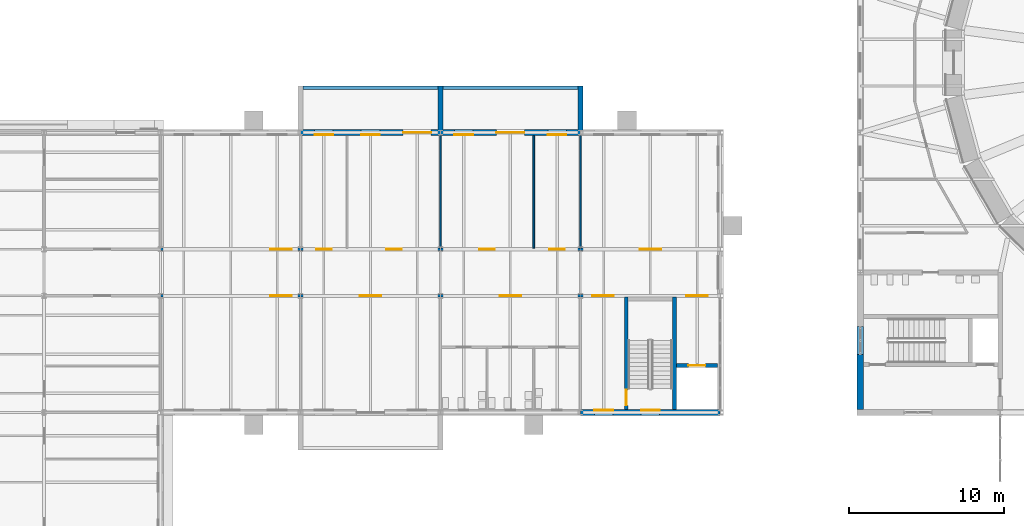
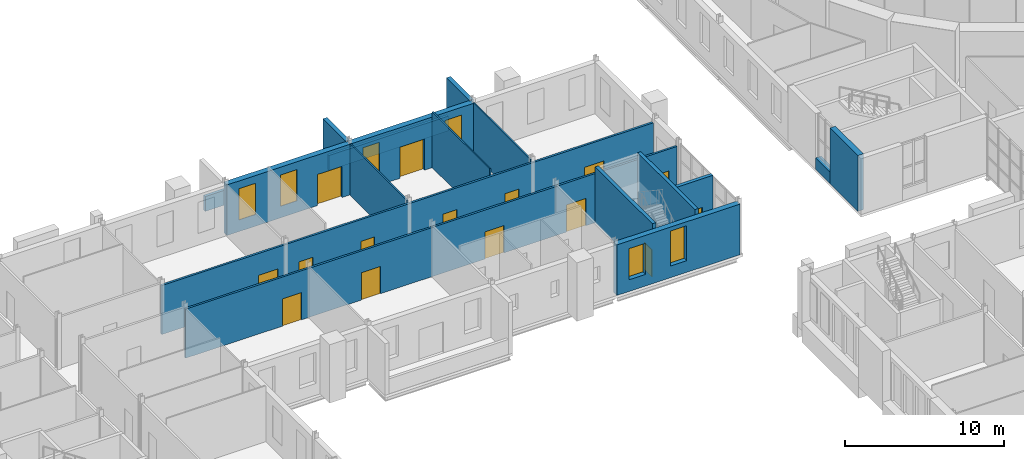
# One storey, part 83 of 131: 17 walls, 15 doors, 6 windows, 21 openings.
"""IFC4 building model written with IfcOpenShell, lengths in metres."""

from ifc_helpers import new_model, si_unit, direction, frame, frame_2d, origin, place, context, subcontext, project, spatial, rectangle, extrude, material, layer, layer_set, type_object, element, fill, save


model = new_model("IFC4")

# Units and contexts
model_context = context("Model", 3, precision=1e-05, world=origin(), true_north=direction((0.0, 1.0)))
body_context = subcontext(model_context, "Body", "Model", "MODEL_VIEW")
ifc_project = project(units=[si_unit("LENGTHUNIT", "METRE"), si_unit("AREAUNIT", "SQUARE_METRE"), si_unit("VOLUMEUNIT", "CUBIC_METRE"), si_unit("PLANEANGLEUNIT", "RADIAN"), si_unit("MASSUNIT", "GRAM", prefix="KILO")], contexts=[model_context])

# Site, building, storey
site_placement = place(None, origin())
site = spatial("IfcSite", under=ifc_project, at=site_placement, CompositionType="ELEMENT")
building_placement = place(site_placement, origin())
building = spatial("IfcBuilding", under=site, at=building_placement, Name="Golden Quay Civic Hall", CompositionType="ELEMENT")
storey_placement = place(building_placement, frame((0.0, 0.0, 9.89990234375)))
storey = spatial("IfcBuildingStorey", under=building, at=storey_placement, Name="L02", CompositionType="ELEMENT", Elevation=9.89990234375)

# Walls
ifc_material_1 = material(Name="Brick, dark clay facing", Category="masonry")
ifc_layer_1 = layer(ifc_material_1, 0.199951171875)
ifc_layer_set_1 = layer_set([ifc_layer_1], Name="Brick balustrade wall 200")
wall_type_1 = type_object("IfcWallType", Name="Brick balustrade wall 200", PredefinedType="STANDARD", material=ifc_layer_set_1)
for number, where, z_axis, x_axis, name in (
    (1, (27.14990234375, 83.8798828125, 0.0), (0.0, 0.0, 1.0), (1.0, 0.0, 0.0), "Brick balustrade wall 200 L02 2"),
    (2, (36.14990234375, 83.8798828125, 0.0), (0.0, 0.0, 1.0), (1.0, 0.0, 0.0), "Brick balustrade wall 200 L02 3"),
):
    element("IfcWall", number, at=place(storey_placement, frame(where, z_axis=z_axis, x_axis=x_axis)), inside=storey, type_object=wall_type_1, Name=name, PredefinedType="STANDARD", context=body_context, shape_type="SweptSolid", body=[
        extrude(rectangle(XDim=8.7001953125, YDim=0.199951171875, at=frame_2d((4.35009765625, 0.0))), origin(), (0.0, 0.0, 1.0), 1.150146484375),
    ])

# Wall, openings, door, windows
ifc_material_2 = material(Name="Brick, dark clay facing", Category="masonry")
ifc_layer_2 = layer(ifc_material_2, 0.39990234375)
ifc_layer_set_2 = layer_set([ifc_layer_2], Name="Brick external wall 400")
wall_type_2 = type_object("IfcWallType", Name="Brick external wall 400", PredefinedType="STANDARD", material=ifc_layer_set_2)
wall_1_placement = place(storey_placement, frame((27.009033203125, 81.0, 0.0), z_axis=(0.0, 0.0, 1.0), x_axis=(1.0, 0.0, 0.0)))
wall_1 = element("IfcWall", 3, at=wall_1_placement, inside=storey, type_object=wall_type_2, Name="Brick external wall 400 L02 3", PredefinedType="STANDARD", context=body_context, shape_type="SweptSolid", body=[
    extrude(rectangle(XDim=8.98193359375, YDim=0.39990234375, at=frame_2d((4.490966796875, 0.0))), origin(), (0.0, 0.0, 1.0), 3.900146484375),
])
opening_1_placement = place(wall_1_placement, frame((6.591064453125, 0.0, 0.0)))
opening_1 = element("IfcOpeningElement", 4, at=opening_1_placement, cuts=wall_1, Name="Opening L02-D001", PredefinedType="OPENING", context=body_context, shape_type="SweptSolid", body=[
    extrude(rectangle(XDim=1.800048828125, YDim=2.39990234375, at=frame_2d((0.89990234375, 1.199951171875))), frame((0.0, 0.2099609375, 0.0), z_axis=(0.0, -1.0, 0.0), x_axis=(1.0, 0.0, 0.0)), (0.0, 0.0, 1.0), 0.419921875),
])
opening_2_placement = place(wall_1_placement, frame((0.89111328125, 0.0, 0.89990234375)))
opening_2 = element("IfcOpeningElement", 5, at=opening_2_placement, cuts=wall_1, Name="Opening WN7", PredefinedType="OPENING", context=body_context, shape_type="SweptSolid", body=[
    extrude(rectangle(XDim=1.199951171875, YDim=2.39990234375, at=frame_2d((0.60009765625, 1.199951171875))), frame((0.0, 0.2099609375, 0.0), z_axis=(0.0, -1.0, 0.0), x_axis=(1.0, 0.0, 0.0)), (0.0, 0.0, 1.0), 0.419921875),
])
opening_3_placement = place(wall_1_placement, frame((3.89111328125, 0.0, 0.89990234375)))
opening_3 = element("IfcOpeningElement", 6, at=opening_3_placement, cuts=wall_1, Name="Opening WN7", PredefinedType="OPENING", context=body_context, shape_type="SweptSolid", body=[
    extrude(rectangle(XDim=1.199951171875, YDim=2.39990234375, at=frame_2d((0.60009765625, 1.199951171875))), frame((0.0, 0.2099609375, 0.0), z_axis=(0.0, -1.0, 0.0), x_axis=(1.0, 0.0, 0.0)), (0.0, 0.0, 1.0), 0.419921875),
])
ifc_material_3 = material(Name="Aluminium frame, glazed", Category="aluminium")
door_type_1 = type_object("IfcDoorType", Name="Glazed double terrace door 1800 x 2400", OperationType="DOUBLE_DOOR_SINGLE_SWING", PredefinedType="DOOR", material=ifc_material_3)
door_1_placement = place(opening_1_placement, origin())
door_1 = element("IfcDoor", 7, at=door_1_placement, inside=storey, type_object=door_type_1, Name="Door L02-D001", OperationType="DOUBLE_DOOR_SINGLE_SWING", OverallHeight=2.39990234375, OverallWidth=1.800048828125, PredefinedType="DOOR", context=body_context, shape_type="SweptSolid", body=[
    extrude(rectangle(XDim=1.800048828125, YDim=2.39990234375, at=frame_2d((0.89990234375, 1.199951171875))), frame((0.0, 0.02490234375, 0.0), z_axis=(0.0, -1.0, 0.0), x_axis=(1.0, 0.0, 0.0)), (0.0, 0.0, 1.0), 0.050048828125),
])
fill(opening_1, door_1)
ifc_material_4 = material(Name="Aluminium frame, double glazed", Category="aluminium")
window_type_1 = type_object("IfcWindowType", Name="Window 1200 x 2400", PartitioningType="SINGLE_PANEL", PredefinedType="WINDOW", material=ifc_material_4)
window_1_placement = place(opening_2_placement, origin())
window_1 = element("IfcWindow", 8, at=window_1_placement, inside=storey, type_object=window_type_1, Name="Window 1200 x 2400 L02 7", OverallHeight=2.39990234375, OverallWidth=1.199951171875, PartitioningType="SINGLE_PANEL", PredefinedType="WINDOW", context=body_context, shape_type="SweptSolid", body=[
    extrude(rectangle(XDim=1.199951171875, YDim=2.39990234375, at=frame_2d((0.60009765625, 1.199951171875))), frame((0.0, -0.119873046875, 0.0), z_axis=(0.0, -1.0, 0.0), x_axis=(1.0, 0.0, 0.0)), (0.0, 0.0, 1.0), 0.06005859375),
])
fill(opening_2, window_1)
window_2_placement = place(opening_3_placement, origin())
window_2 = element("IfcWindow", 9, at=window_2_placement, inside=storey, type_object=window_type_1, Name="Window 1200 x 2400 L02 8", OverallHeight=2.39990234375, OverallWidth=1.199951171875, PartitioningType="SINGLE_PANEL", PredefinedType="WINDOW", context=body_context, shape_type="SweptSolid", body=[
    extrude(rectangle(XDim=1.199951171875, YDim=2.39990234375, at=frame_2d((0.60009765625, 1.199951171875))), frame((0.0, -0.119873046875, 0.0), z_axis=(0.0, -1.0, 0.0), x_axis=(1.0, 0.0, 0.0)), (0.0, 0.0, 1.0), 0.06005859375),
])
fill(opening_3, window_2)

wall_2_placement = place(storey_placement, frame((36.009033203125, 81.0, 0.0), z_axis=(0.0, 0.0, 1.0), x_axis=(1.0, 0.0, 0.0)))
wall_2 = element("IfcWall", 10, at=wall_2_placement, inside=storey, type_object=wall_type_2, Name="Brick external wall 400 L02 4", PredefinedType="STANDARD", context=body_context, shape_type="SweptSolid", body=[
    extrude(rectangle(XDim=8.98193359375, YDim=0.39990234375, at=frame_2d((4.490966796875, 0.0))), origin(), (0.0, 0.0, 1.0), 3.900146484375),
])
opening_4_placement = place(wall_2_placement, frame((3.591064453125, 0.0, 0.0)))
opening_4 = element("IfcOpeningElement", 11, at=opening_4_placement, cuts=wall_2, Name="Opening L02-D002", PredefinedType="OPENING", context=body_context, shape_type="SweptSolid", body=[
    extrude(rectangle(XDim=1.800048828125, YDim=2.39990234375, at=frame_2d((0.89990234375, 1.199951171875))), frame((0.0, 0.2099609375, 0.0), z_axis=(0.0, -1.0, 0.0), x_axis=(1.0, 0.0, 0.0)), (0.0, 0.0, 1.0), 0.419921875),
])
opening_5_placement = place(wall_2_placement, frame((0.89111328125, 0.0, 0.89990234375)))
opening_5 = element("IfcOpeningElement", 12, at=opening_5_placement, cuts=wall_2, Name="Opening WN7", PredefinedType="OPENING", context=body_context, shape_type="SweptSolid", body=[
    extrude(rectangle(XDim=1.199951171875, YDim=2.39990234375, at=frame_2d((0.60009765625, 1.199951171875))), frame((0.0, 0.2099609375, 0.0), z_axis=(0.0, -1.0, 0.0), x_axis=(1.0, 0.0, 0.0)), (0.0, 0.0, 1.0), 0.419921875),
])
opening_6_placement = place(wall_2_placement, frame((6.89111328125, 0.0, 0.89990234375)))
opening_6 = element("IfcOpeningElement", 13, at=opening_6_placement, cuts=wall_2, Name="Opening WN7", PredefinedType="OPENING", context=body_context, shape_type="SweptSolid", body=[
    extrude(rectangle(XDim=1.199951171875, YDim=2.39990234375, at=frame_2d((0.60009765625, 1.199951171875))), frame((0.0, 0.2099609375, 0.0), z_axis=(0.0, -1.0, 0.0), x_axis=(1.0, 0.0, 0.0)), (0.0, 0.0, 1.0), 0.419921875),
])
door_2_placement = place(opening_4_placement, origin())
door_2 = element("IfcDoor", 14, at=door_2_placement, inside=storey, type_object=door_type_1, Name="Door L02-D002", OperationType="DOUBLE_DOOR_SINGLE_SWING", OverallHeight=2.39990234375, OverallWidth=1.800048828125, PredefinedType="DOOR", context=body_context, shape_type="SweptSolid", body=[
    extrude(rectangle(XDim=1.800048828125, YDim=2.39990234375, at=frame_2d((0.89990234375, 1.199951171875))), frame((0.0, 0.02490234375, 0.0), z_axis=(0.0, -1.0, 0.0), x_axis=(1.0, 0.0, 0.0)), (0.0, 0.0, 1.0), 0.050048828125),
])
fill(opening_4, door_2)
window_3_placement = place(opening_5_placement, origin())
window_3 = element("IfcWindow", 15, at=window_3_placement, inside=storey, type_object=window_type_1, Name="Window 1200 x 2400 L02 9", OverallHeight=2.39990234375, OverallWidth=1.199951171875, PartitioningType="SINGLE_PANEL", PredefinedType="WINDOW", context=body_context, shape_type="SweptSolid", body=[
    extrude(rectangle(XDim=1.199951171875, YDim=2.39990234375, at=frame_2d((0.60009765625, 1.199951171875))), frame((0.0, -0.119873046875, 0.0), z_axis=(0.0, -1.0, 0.0), x_axis=(1.0, 0.0, 0.0)), (0.0, 0.0, 1.0), 0.06005859375),
])
fill(opening_5, window_3)
window_4_placement = place(opening_6_placement, origin())
window_4 = element("IfcWindow", 16, at=window_4_placement, inside=storey, type_object=window_type_1, Name="Window 1200 x 2400 L02 10", OverallHeight=2.39990234375, OverallWidth=1.199951171875, PartitioningType="SINGLE_PANEL", PredefinedType="WINDOW", context=body_context, shape_type="SweptSolid", body=[
    extrude(rectangle(XDim=1.199951171875, YDim=2.39990234375, at=frame_2d((0.60009765625, 1.199951171875))), frame((0.0, -0.119873046875, 0.0), z_axis=(0.0, -1.0, 0.0), x_axis=(1.0, 0.0, 0.0)), (0.0, 0.0, 1.0), 0.06005859375),
])
fill(opening_6, window_4)

# Wall, openings, windows
ifc_material_5 = material(Name="Brick, dark clay facing", Category="masonry")
ifc_layer_3 = layer(ifc_material_5, 0.39990234375)
ifc_layer_set_3 = layer_set([ifc_layer_3], Name="Brick external wall 400 fire EI 60")
wall_type_3 = type_object("IfcWallType", Name="Brick external wall 400 fire EI 60", PredefinedType="STANDARD", material=ifc_layer_set_3)
wall_3_placement = place(storey_placement, frame((53.990966796875, 63.0, 0.0), z_axis=(0.0, 0.0, 1.0), x_axis=(-1.0, 0.0, 0.0)))
wall_3 = element("IfcWall", 17, at=wall_3_placement, inside=storey, type_object=wall_type_3, Name="Brick external wall 400 fire EI 60 L02 1", PredefinedType="STANDARD", context=body_context, shape_type="SweptSolid", body=[
    extrude(rectangle(XDim=8.98193359375, YDim=0.39990234375, at=frame_2d((4.490966796875, 0.0))), origin(), (0.0, 0.0, 1.0), 3.900146484375),
])
opening_7_placement = place(wall_3_placement, frame((6.89111328125, 0.0, 0.89990234375)))
opening_7 = element("IfcOpeningElement", 18, at=opening_7_placement, cuts=wall_3, Name="Opening WN7", PredefinedType="OPENING", context=body_context, shape_type="SweptSolid", body=[
    extrude(rectangle(XDim=1.199951171875, YDim=2.39990234375, at=frame_2d((0.60009765625, 1.199951171875))), frame((0.0, 0.2099609375, 0.0), z_axis=(0.0, -1.0, 0.0), x_axis=(1.0, 0.0, 0.0)), (0.0, 0.0, 1.0), 0.419921875),
])
opening_8_placement = place(wall_3_placement, frame((3.89111328125, 0.0, 0.89990234375)))
opening_8 = element("IfcOpeningElement", 19, at=opening_8_placement, cuts=wall_3, Name="Opening WN13", PredefinedType="OPENING", context=body_context, shape_type="SweptSolid", body=[
    extrude(rectangle(XDim=1.199951171875, YDim=2.699951171875, at=frame_2d((0.60009765625, 1.35009765625))), frame((0.0, 0.2099609375, 0.0), z_axis=(0.0, -1.0, 0.0), x_axis=(1.0, 0.0, 0.0)), (0.0, 0.0, 1.0), 0.419921875),
])
ifc_material_6 = material(Name="Aluminium frame, double glazed", Category="aluminium")
window_type_2 = type_object("IfcWindowType", Name="Stair light window 1200 x 2700", PartitioningType="SINGLE_PANEL", PredefinedType="WINDOW", material=ifc_material_6)
window_5_placement = place(opening_8_placement, origin())
window_5 = element("IfcWindow", 20, at=window_5_placement, inside=storey, type_object=window_type_2, Name="Stair light window 1200 x 2700 L02 1", OverallHeight=2.699951171875, OverallWidth=1.199951171875, PartitioningType="SINGLE_PANEL", PredefinedType="WINDOW", context=body_context, shape_type="SweptSolid", body=[
    extrude(rectangle(XDim=1.199951171875, YDim=2.699951171875, at=frame_2d((0.60009765625, 1.35009765625))), frame((0.0, -0.119873046875, 0.0), z_axis=(0.0, -1.0, 0.0), x_axis=(1.0, 0.0, 0.0)), (0.0, 0.0, 1.0), 0.06005859375),
])
fill(opening_8, window_5)
window_6_placement = place(opening_7_placement, origin())
window_6 = element("IfcWindow", 21, at=window_6_placement, inside=storey, type_object=window_type_1, Name="Window 1200 x 2400 L02 21", OverallHeight=2.39990234375, OverallWidth=1.199951171875, PartitioningType="SINGLE_PANEL", PredefinedType="WINDOW", context=body_context, shape_type="SweptSolid", body=[
    extrude(rectangle(XDim=1.199951171875, YDim=2.39990234375, at=frame_2d((0.60009765625, 1.199951171875))), frame((0.0, -0.119873046875, 0.0), z_axis=(0.0, -1.0, 0.0), x_axis=(1.0, 0.0, 0.0)), (0.0, 0.0, 1.0), 0.06005859375),
])
fill(opening_7, window_6)

# Walls
ifc_material_7 = material(Name="Brick, dark clay facing", Category="masonry")
ifc_layer_4 = layer(ifc_material_7, 0.300048828125)
ifc_layer_set_4 = layer_set([ifc_layer_4], Name="Brick loggia wall 300")
wall_type_4 = type_object("IfcWallType", Name="Brick loggia wall 300", PredefinedType="STANDARD", material=ifc_layer_set_4)
for number, where, z_axis, x_axis, name in (
    (22, (36.0, 81.135009765625, 0.0), (0.0, 0.0, 1.0), (0.0, 1.0, 0.0), "Brick loggia wall 300 L02 4"),
    (23, (45.0, 81.135009765625, 0.0), (0.0, 0.0, 1.0), (0.0, 1.0, 0.0), "Brick loggia wall 300 L02 5"),
):
    element("IfcWall", number, at=place(storey_placement, frame(where, z_axis=z_axis, x_axis=x_axis)), inside=storey, type_object=wall_type_4, Name=name, PredefinedType="STANDARD", context=body_context, shape_type="SweptSolid", body=[
        extrude(rectangle(XDim=2.864990234375, YDim=0.300048828125, at=frame_2d((1.4326171875, 0.0))), origin(), (0.0, 0.0, 1.0), 3.97021484375),
    ])

# Wall, opening, door
ifc_material_8 = material(Name="Concrete C40/50", Category="concrete")
ifc_layer_5 = layer(ifc_material_8, 0.25)
ifc_layer_set_5 = layer_set([ifc_layer_5], Name="Concrete core wall 250, Concrete C40/50")
wall_type_5 = type_object("IfcWallType", Name="Concrete core wall 250", PredefinedType="SHEAR", material=ifc_layer_set_5)
wall_4_placement = place(storey_placement, frame((47.949951171875, 63.199951171875, 0.0), z_axis=(0.0, 0.0, 1.0), x_axis=(0.0, 1.0, 0.0)))
wall_4 = element("IfcWall", 24, at=wall_4_placement, inside=storey, type_object=wall_type_5, Name="Core wall NW-E-W1", PredefinedType="SHEAR", context=body_context, shape_type="SweptSolid", body=[
    extrude(rectangle(XDim=7.22509765625, YDim=0.25, at=frame_2d((3.612548828125, 0.0))), origin(), (0.0, 0.0, 1.0), 4.300048828125),
])
opening_9_placement = place(wall_4_placement, frame((0.25, 0.0, 0.0)))
opening_9 = element("IfcOpeningElement", 25, at=opening_9_placement, cuts=wall_4, Name="Opening L02-D081", PredefinedType="OPENING", context=body_context, shape_type="SweptSolid", body=[
    extrude(rectangle(XDim=1.0, YDim=2.10009765625, at=frame_2d((0.5, 1.050048828125))), frame((0.0, 0.135009765625, 0.0), z_axis=(0.0, -1.0, 0.0), x_axis=(1.0, 0.0, 0.0)), (0.0, 0.0, 1.0), 0.27001953125),
])
ifc_material_9 = material(Name="Steel", Category="steel")
door_type_2 = type_object("IfcDoorType", Name="Steel fire door FD60 1000 x 2100", OperationType="SINGLE_SWING_LEFT", PredefinedType="DOOR", material=ifc_material_9)
door_3_placement = place(opening_9_placement, frame((1.0, 0.0, 0.0), z_axis=(0.0, 0.0, 1.0), x_axis=(-1.0, 0.0, 0.0)))
door_3 = element("IfcDoor", 26, at=door_3_placement, inside=storey, type_object=door_type_2, Name="Door L02-D081", OperationType="SINGLE_SWING_RIGHT", OverallHeight=2.10009765625, OverallWidth=1.0, PredefinedType="DOOR", context=body_context, shape_type="SweptSolid", body=[
    extrude(rectangle(XDim=1.0, YDim=2.10009765625, at=frame_2d((0.5, 1.050048828125))), frame((0.0, 0.025146484375, 0.0), z_axis=(0.0, -1.0, 0.0), x_axis=(1.0, 0.0, 0.0)), (0.0, 0.0, 1.0), 0.050048828125),
])
fill(opening_9, door_3)

# Wall
wall_5_placement = place(storey_placement, frame((51.050048828125, 63.199951171875, 0.0), z_axis=(0.0, 0.0, 1.0), x_axis=(0.0, 1.0, 0.0)))
element("IfcWall", 27, at=wall_5_placement, inside=storey, type_object=wall_type_5, Name="Core wall NW-E-W2", PredefinedType="SHEAR", context=body_context, shape_type="SweptSolid", body=[
    extrude(rectangle(XDim=7.22509765625, YDim=0.25, at=frame_2d((3.612548828125, 0.0))), origin(), (0.0, 0.0, 1.0), 4.300048828125),
])

# Wall, opening, door
wall_6_placement = place(storey_placement, frame((51.175048828125, 66.02490234375, 0.0), z_axis=(0.0, 0.0, 1.0), x_axis=(1.0, 0.0, 0.0)))
wall_6 = element("IfcWall", 28, at=wall_6_placement, inside=storey, type_object=wall_type_5, Name="Core wall NW-E-W4", PredefinedType="SHEAR", context=body_context, shape_type="SweptSolid", body=[
    extrude(rectangle(XDim=2.625, YDim=0.25, at=frame_2d((1.3125, 0.0))), origin(), (0.0, 0.0, 1.0), 4.300048828125),
])
opening_10_placement = place(wall_6_placement, frame((0.762451171875, 0.0, 0.0)))
opening_10 = element("IfcOpeningElement", 29, at=opening_10_placement, cuts=wall_6, Name="Opening L02-D084", PredefinedType="OPENING", context=body_context, shape_type="SweptSolid", body=[
    extrude(rectangle(XDim=1.10009765625, YDim=2.10009765625, at=frame_2d((0.550048828125, 1.050048828125))), frame((0.0, 0.135009765625, 0.0), z_axis=(0.0, -1.0, 0.0), x_axis=(1.0, 0.0, 0.0)), (0.0, 0.0, 1.0), 0.27001953125),
])
ifc_material_10 = material(Name="Steel", Category="steel")
door_type_3 = type_object("IfcDoorType", Name="Lift landing door 1100 x 2100", OperationType="SLIDING_TO_LEFT", PredefinedType="DOOR", material=ifc_material_10)
door_4_placement = place(opening_10_placement, origin())
door_4 = element("IfcDoor", 30, at=door_4_placement, inside=storey, type_object=door_type_3, Name="Lift landing door L02-D084 NW-E", OperationType="SLIDING_TO_LEFT", OverallHeight=2.10009765625, OverallWidth=1.10009765625, PredefinedType="DOOR", context=body_context, shape_type="SweptSolid", body=[
    extrude(rectangle(XDim=1.10009765625, YDim=2.10009765625, at=frame_2d((0.550048828125, 1.050048828125))), frame((0.0, 0.02490234375, 0.0), z_axis=(0.0, -1.0, 0.0), x_axis=(1.0, 0.0, 0.0)), (0.0, 0.0, 1.0), 0.050048828125),
])
fill(opening_10, door_4)

# Walls
ifc_material_11 = material(Name="Plasterboard on steel studs", Category="steel")
ifc_layer_6 = layer(ifc_material_11, 0.10009765625)
ifc_layer_set_6 = layer_set([ifc_layer_6], Name="Partition 100 stud")
wall_type_6 = type_object("IfcWallType", Name="Partition 100 stud", PredefinedType="PARTITIONING", material=ifc_layer_set_6)
wall_7_placement = place(storey_placement, frame((36.0, 73.574951171875, 0.0), z_axis=(0.0, 0.0, 1.0), x_axis=(0.0, 1.0, 0.0)))
element("IfcWall", 31, at=wall_7_placement, inside=storey, type_object=wall_type_6, Name="Partition L02-004", PredefinedType="PARTITIONING", context=body_context, shape_type="SweptSolid", body=[
    extrude(rectangle(XDim=7.22509765625, YDim=0.10009765625, at=frame_2d((3.612548828125, 0.0))), origin(), (0.0, 0.0, 1.0), 3.9501953125),
])
wall_8_placement = place(storey_placement, frame((42.0, 73.574951171875, 0.0), z_axis=(0.0, 0.0, 1.0), x_axis=(0.0, 1.0, 0.0)))
element("IfcWall", 32, at=wall_8_placement, inside=storey, type_object=wall_type_6, Name="Partition L02-005", PredefinedType="PARTITIONING", context=body_context, shape_type="SweptSolid", body=[
    extrude(rectangle(XDim=7.22509765625, YDim=0.10009765625, at=frame_2d((3.612548828125, 0.0))), origin(), (0.0, 0.0, 1.0), 4.300048828125),
])
wall_9_placement = place(storey_placement, frame((45.0, 73.574951171875, 0.0), z_axis=(0.0, 0.0, 1.0), x_axis=(0.0, 1.0, 0.0)))
element("IfcWall", 33, at=wall_9_placement, inside=storey, type_object=wall_type_6, Name="Partition L02-006", PredefinedType="PARTITIONING", context=body_context, shape_type="SweptSolid", body=[
    extrude(rectangle(XDim=7.22509765625, YDim=0.10009765625, at=frame_2d((3.612548828125, 0.0))), origin(), (0.0, 0.0, 1.0), 3.9501953125),
])

# Wall, openings, doors
ifc_material_12 = material(Name="Plasterboard on steel studs", Category="steel")
ifc_layer_7 = layer(ifc_material_12, 0.14990234375)
ifc_layer_set_7 = layer_set([ifc_layer_7], Name="Partition 150 stud fire EI 60")
wall_type_7 = type_object("IfcWallType", Name="Partition 150 stud fire EI 60", PredefinedType="PARTITIONING", material=ifc_layer_set_7)
wall_10_placement = place(storey_placement, frame((18.0, 70.5, 0.0), z_axis=(0.0, 0.0, 1.0), x_axis=(1.0, 0.0, 0.0)))
wall_10 = element("IfcWall", 34, at=wall_10_placement, inside=storey, type_object=wall_type_7, Name="Partition L02-008", PredefinedType="PARTITIONING", context=body_context, shape_type="SweptSolid", body=[
    extrude(rectangle(XDim=35.800048828125, YDim=0.14990234375, at=frame_2d((17.89990234375, 0.0))), origin(), (0.0, 0.0, 1.0), 3.780029296875),
])
opening_11_placement = place(wall_10_placement, frame((7.050048828125, 0.0, 0.0)))
opening_11 = element("IfcOpeningElement", 35, at=opening_11_placement, cuts=wall_10, Name="Opening L02-D069", PredefinedType="OPENING", context=body_context, shape_type="SweptSolid", body=[
    extrude(rectangle(XDim=1.39990234375, YDim=2.10009765625, at=frame_2d((0.699951171875, 1.050048828125))), frame((0.0, 0.0849609375, 0.0), z_axis=(0.0, -1.0, 0.0), x_axis=(1.0, 0.0, 0.0)), (0.0, 0.0, 1.0), 0.169921875),
])
opening_12_placement = place(wall_10_placement, frame((12.800048828125, 0.0, 0.0)))
opening_12 = element("IfcOpeningElement", 36, at=opening_12_placement, cuts=wall_10, Name="Opening L02-D070", PredefinedType="OPENING", context=body_context, shape_type="SweptSolid", body=[
    extrude(rectangle(XDim=1.39990234375, YDim=2.10009765625, at=frame_2d((0.699951171875, 1.050048828125))), frame((0.0, 0.0849609375, 0.0), z_axis=(0.0, -1.0, 0.0), x_axis=(1.0, 0.0, 0.0)), (0.0, 0.0, 1.0), 0.169921875),
])
opening_13_placement = place(wall_10_placement, frame((21.800048828125, 0.0, 0.0)))
opening_13 = element("IfcOpeningElement", 37, at=opening_13_placement, cuts=wall_10, Name="Opening L02-D077", PredefinedType="OPENING", context=body_context, shape_type="SweptSolid", body=[
    extrude(rectangle(XDim=1.39990234375, YDim=2.10009765625, at=frame_2d((0.699951171875, 1.050048828125))), frame((0.0, 0.0849609375, 0.0), z_axis=(0.0, -1.0, 0.0), x_axis=(1.0, 0.0, 0.0)), (0.0, 0.0, 1.0), 0.169921875),
])
opening_14_placement = place(wall_10_placement, frame((27.75, 0.0, 0.0)))
opening_14 = element("IfcOpeningElement", 38, at=opening_14_placement, cuts=wall_10, Name="Opening L02-D082", PredefinedType="OPENING", context=body_context, shape_type="SweptSolid", body=[
    extrude(rectangle(XDim=1.39990234375, YDim=2.10009765625, at=frame_2d((0.699951171875, 1.050048828125))), frame((0.0, 0.0849609375, 0.0), z_axis=(0.0, -1.0, 0.0), x_axis=(1.0, 0.0, 0.0)), (0.0, 0.0, 1.0), 0.169921875),
])
opening_15_placement = place(wall_10_placement, frame((33.800048828125, 0.0, 0.0)))
opening_15 = element("IfcOpeningElement", 39, at=opening_15_placement, cuts=wall_10, Name="Opening L02-D083", PredefinedType="OPENING", context=body_context, shape_type="SweptSolid", body=[
    extrude(rectangle(XDim=1.39990234375, YDim=2.10009765625, at=frame_2d((0.699951171875, 1.050048828125))), frame((0.0, 0.0849609375, 0.0), z_axis=(0.0, -1.0, 0.0), x_axis=(1.0, 0.0, 0.0)), (0.0, 0.0, 1.0), 0.169921875),
])
ifc_material_13 = material(Name="Steel", Category="steel")
door_type_4 = type_object("IfcDoorType", Name="Steel double fire door FD30S 1400 x 2100", OperationType="DOUBLE_DOOR_SINGLE_SWING", PredefinedType="DOOR", material=ifc_material_13)
door_5_placement = place(opening_11_placement, frame((1.39990234375, 0.0, 0.0), z_axis=(0.0, 0.0, 1.0), x_axis=(-1.0, 0.0, 0.0)))
door_5 = element("IfcDoor", 40, at=door_5_placement, inside=storey, type_object=door_type_4, Name="Door L02-D069", OperationType="DOUBLE_DOOR_SINGLE_SWING", OverallHeight=2.10009765625, OverallWidth=1.39990234375, PredefinedType="DOOR", context=body_context, shape_type="SweptSolid", body=[
    extrude(rectangle(XDim=1.39990234375, YDim=2.10009765625, at=frame_2d((0.699951171875, 1.050048828125))), frame((0.0, 0.025146484375, 0.0), z_axis=(0.0, -1.0, 0.0), x_axis=(1.0, 0.0, 0.0)), (0.0, 0.0, 1.0), 0.050048828125),
])
fill(opening_11, door_5)
door_6_placement = place(opening_12_placement, frame((1.39990234375, 0.0, 0.0), z_axis=(0.0, 0.0, 1.0), x_axis=(-1.0, 0.0, 0.0)))
door_6 = element("IfcDoor", 41, at=door_6_placement, inside=storey, type_object=door_type_4, Name="Door L02-D070", OperationType="DOUBLE_DOOR_SINGLE_SWING", OverallHeight=2.10009765625, OverallWidth=1.39990234375, PredefinedType="DOOR", context=body_context, shape_type="SweptSolid", body=[
    extrude(rectangle(XDim=1.39990234375, YDim=2.10009765625, at=frame_2d((0.699951171875, 1.050048828125))), frame((0.0, 0.025146484375, 0.0), z_axis=(0.0, -1.0, 0.0), x_axis=(1.0, 0.0, 0.0)), (0.0, 0.0, 1.0), 0.050048828125),
])
fill(opening_12, door_6)
door_7_placement = place(opening_13_placement, frame((1.39990234375, 0.0, 0.0), z_axis=(0.0, 0.0, 1.0), x_axis=(-1.0, 0.0, 0.0)))
door_7 = element("IfcDoor", 42, at=door_7_placement, inside=storey, type_object=door_type_4, Name="Door L02-D077", OperationType="DOUBLE_DOOR_SINGLE_SWING", OverallHeight=2.10009765625, OverallWidth=1.39990234375, PredefinedType="DOOR", context=body_context, shape_type="SweptSolid", body=[
    extrude(rectangle(XDim=1.39990234375, YDim=2.10009765625, at=frame_2d((0.699951171875, 1.050048828125))), frame((0.0, 0.025146484375, 0.0), z_axis=(0.0, -1.0, 0.0), x_axis=(1.0, 0.0, 0.0)), (0.0, 0.0, 1.0), 0.050048828125),
])
fill(opening_13, door_7)
door_8_placement = place(opening_14_placement, origin())
door_8 = element("IfcDoor", 43, at=door_8_placement, inside=storey, type_object=door_type_4, Name="Door L02-D082", OperationType="DOUBLE_DOOR_SINGLE_SWING", OverallHeight=2.10009765625, OverallWidth=1.39990234375, PredefinedType="DOOR", context=body_context, shape_type="SweptSolid", body=[
    extrude(rectangle(XDim=1.39990234375, YDim=2.10009765625, at=frame_2d((0.699951171875, 1.050048828125))), frame((0.0, 0.02490234375, 0.0), z_axis=(0.0, -1.0, 0.0), x_axis=(1.0, 0.0, 0.0)), (0.0, 0.0, 1.0), 0.050048828125),
])
fill(opening_14, door_8)
door_9_placement = place(opening_15_placement, origin())
door_9 = element("IfcDoor", 44, at=door_9_placement, inside=storey, type_object=door_type_4, Name="Door L02-D083", OperationType="DOUBLE_DOOR_SINGLE_SWING", OverallHeight=2.10009765625, OverallWidth=1.39990234375, PredefinedType="DOOR", context=body_context, shape_type="SweptSolid", body=[
    extrude(rectangle(XDim=1.39990234375, YDim=2.10009765625, at=frame_2d((0.699951171875, 1.050048828125))), frame((0.0, 0.02490234375, 0.0), z_axis=(0.0, -1.0, 0.0), x_axis=(1.0, 0.0, 0.0)), (0.0, 0.0, 1.0), 0.050048828125),
])
fill(opening_15, door_9)

wall_11_placement = place(storey_placement, frame((18.0, 73.5, 0.0), z_axis=(0.0, 0.0, 1.0), x_axis=(1.0, 0.0, 0.0)))
wall_11 = element("IfcWall", 45, at=wall_11_placement, inside=storey, type_object=wall_type_7, Name="Partition L02-009", PredefinedType="PARTITIONING", context=body_context, shape_type="SweptSolid", body=[
    extrude(rectangle(XDim=35.800048828125, YDim=0.14990234375, at=frame_2d((17.89990234375, 0.0))), origin(), (0.0, 0.0, 1.0), 3.780029296875),
])
opening_16_placement = place(wall_11_placement, frame((7.050048828125, 0.0, 0.0)))
opening_16 = element("IfcOpeningElement", 46, at=opening_16_placement, cuts=wall_11, Name="Opening L02-D071", PredefinedType="OPENING", context=body_context, shape_type="SweptSolid", body=[
    extrude(rectangle(XDim=1.39990234375, YDim=2.10009765625, at=frame_2d((0.699951171875, 1.050048828125))), frame((0.0, 0.0849609375, 0.0), z_axis=(0.0, -1.0, 0.0), x_axis=(1.0, 0.0, 0.0)), (0.0, 0.0, 1.0), 0.169921875),
])
opening_17_placement = place(wall_11_placement, frame((10.0, 0.0, 0.0)))
opening_17 = element("IfcOpeningElement", 47, at=opening_17_placement, cuts=wall_11, Name="Opening L02-D072", PredefinedType="OPENING", context=body_context, shape_type="SweptSolid", body=[
    extrude(rectangle(XDim=1.0, YDim=2.10009765625, at=frame_2d((0.5, 1.050048828125))), frame((0.0, 0.0849609375, 0.0), z_axis=(0.0, -1.0, 0.0), x_axis=(1.0, 0.0, 0.0)), (0.0, 0.0, 1.0), 0.169921875),
])
opening_18_placement = place(wall_11_placement, frame((14.5, 0.0, 0.0)))
opening_18 = element("IfcOpeningElement", 48, at=opening_18_placement, cuts=wall_11, Name="Opening L02-D073", PredefinedType="OPENING", context=body_context, shape_type="SweptSolid", body=[
    extrude(rectangle(XDim=1.0, YDim=2.10009765625, at=frame_2d((0.5, 1.050048828125))), frame((0.0, 0.0849609375, 0.0), z_axis=(0.0, -1.0, 0.0), x_axis=(1.0, 0.0, 0.0)), (0.0, 0.0, 1.0), 0.169921875),
])
opening_19_placement = place(wall_11_placement, frame((20.5, 0.0, 0.0)))
opening_19 = element("IfcOpeningElement", 49, at=opening_19_placement, cuts=wall_11, Name="Opening L02-D074", PredefinedType="OPENING", context=body_context, shape_type="SweptSolid", body=[
    extrude(rectangle(XDim=1.0, YDim=2.10009765625, at=frame_2d((0.5, 1.050048828125))), frame((0.0, 0.0849609375, 0.0), z_axis=(0.0, -1.0, 0.0), x_axis=(1.0, 0.0, 0.0)), (0.0, 0.0, 1.0), 0.169921875),
])
opening_20_placement = place(wall_11_placement, frame((25.0, 0.0, 0.0)))
opening_20 = element("IfcOpeningElement", 50, at=opening_20_placement, cuts=wall_11, Name="Opening L02-D075", PredefinedType="OPENING", context=body_context, shape_type="SweptSolid", body=[
    extrude(rectangle(XDim=1.0, YDim=2.10009765625, at=frame_2d((0.5, 1.050048828125))), frame((0.0, 0.0849609375, 0.0), z_axis=(0.0, -1.0, 0.0), x_axis=(1.0, 0.0, 0.0)), (0.0, 0.0, 1.0), 0.169921875),
])
opening_21_placement = place(wall_11_placement, frame((30.800048828125, 0.0, 0.0)))
opening_21 = element("IfcOpeningElement", 51, at=opening_21_placement, cuts=wall_11, Name="Opening L02-D076", PredefinedType="OPENING", context=body_context, shape_type="SweptSolid", body=[
    extrude(rectangle(XDim=1.39990234375, YDim=2.10009765625, at=frame_2d((0.699951171875, 1.050048828125))), frame((0.0, 0.0849609375, 0.0), z_axis=(0.0, -1.0, 0.0), x_axis=(1.0, 0.0, 0.0)), (0.0, 0.0, 1.0), 0.169921875),
])
door_10_placement = place(opening_16_placement, origin())
door_10 = element("IfcDoor", 52, at=door_10_placement, inside=storey, type_object=door_type_4, Name="Door L02-D071", OperationType="DOUBLE_DOOR_SINGLE_SWING", OverallHeight=2.10009765625, OverallWidth=1.39990234375, PredefinedType="DOOR", context=body_context, shape_type="SweptSolid", body=[
    extrude(rectangle(XDim=1.39990234375, YDim=2.10009765625, at=frame_2d((0.699951171875, 1.050048828125))), frame((0.0, 0.02490234375, 0.0), z_axis=(0.0, -1.0, 0.0), x_axis=(1.0, 0.0, 0.0)), (0.0, 0.0, 1.0), 0.050048828125),
])
fill(opening_16, door_10)
door_11_placement = place(opening_21_placement, origin())
door_11 = element("IfcDoor", 53, at=door_11_placement, inside=storey, type_object=door_type_4, Name="Door L02-D076", OperationType="DOUBLE_DOOR_SINGLE_SWING", OverallHeight=2.10009765625, OverallWidth=1.39990234375, PredefinedType="DOOR", context=body_context, shape_type="SweptSolid", body=[
    extrude(rectangle(XDim=1.39990234375, YDim=2.10009765625, at=frame_2d((0.699951171875, 1.050048828125))), frame((0.0, 0.02490234375, 0.0), z_axis=(0.0, -1.0, 0.0), x_axis=(1.0, 0.0, 0.0)), (0.0, 0.0, 1.0), 0.050048828125),
])
fill(opening_21, door_11)
ifc_material_14 = material(Name="Steel", Category="steel")
door_type_5 = type_object("IfcDoorType", Name="Steel fire door FD30S 1000 x 2100", OperationType="SINGLE_SWING_LEFT", PredefinedType="DOOR", material=ifc_material_14)
door_12_placement = place(opening_17_placement, origin())
door_12 = element("IfcDoor", 54, at=door_12_placement, inside=storey, type_object=door_type_5, Name="Door L02-D072", OperationType="SINGLE_SWING_LEFT", OverallHeight=2.10009765625, OverallWidth=1.0, PredefinedType="DOOR", context=body_context, shape_type="SweptSolid", body=[
    extrude(rectangle(XDim=1.0, YDim=2.10009765625, at=frame_2d((0.5, 1.050048828125))), frame((0.0, 0.02490234375, 0.0), z_axis=(0.0, -1.0, 0.0), x_axis=(1.0, 0.0, 0.0)), (0.0, 0.0, 1.0), 0.050048828125),
])
fill(opening_17, door_12)
door_13_placement = place(opening_18_placement, origin())
door_13 = element("IfcDoor", 55, at=door_13_placement, inside=storey, type_object=door_type_5, Name="Door L02-D073", OperationType="SINGLE_SWING_LEFT", OverallHeight=2.10009765625, OverallWidth=1.0, PredefinedType="DOOR", context=body_context, shape_type="SweptSolid", body=[
    extrude(rectangle(XDim=1.0, YDim=2.10009765625, at=frame_2d((0.5, 1.050048828125))), frame((0.0, 0.02490234375, 0.0), z_axis=(0.0, -1.0, 0.0), x_axis=(1.0, 0.0, 0.0)), (0.0, 0.0, 1.0), 0.050048828125),
])
fill(opening_18, door_13)
door_14_placement = place(opening_19_placement, origin())
door_14 = element("IfcDoor", 56, at=door_14_placement, inside=storey, type_object=door_type_5, Name="Door L02-D074", OperationType="SINGLE_SWING_LEFT", OverallHeight=2.10009765625, OverallWidth=1.0, PredefinedType="DOOR", context=body_context, shape_type="SweptSolid", body=[
    extrude(rectangle(XDim=1.0, YDim=2.10009765625, at=frame_2d((0.5, 1.050048828125))), frame((0.0, 0.02490234375, 0.0), z_axis=(0.0, -1.0, 0.0), x_axis=(1.0, 0.0, 0.0)), (0.0, 0.0, 1.0), 0.050048828125),
])
fill(opening_19, door_14)
door_15_placement = place(opening_20_placement, origin())
door_15 = element("IfcDoor", 57, at=door_15_placement, inside=storey, type_object=door_type_5, Name="Door L02-D075", OperationType="SINGLE_SWING_LEFT", OverallHeight=2.10009765625, OverallWidth=1.0, PredefinedType="DOOR", context=body_context, shape_type="SweptSolid", body=[
    extrude(rectangle(XDim=1.0, YDim=2.10009765625, at=frame_2d((0.5, 1.050048828125))), frame((0.0, 0.02490234375, 0.0), z_axis=(0.0, -1.0, 0.0), x_axis=(1.0, 0.0, 0.0)), (0.0, 0.0, 1.0), 0.050048828125),
])
fill(opening_20, door_15)

# Walls
ifc_material_15 = material(Name="Brick masonry with render", Category="masonry")
ifc_layer_8 = layer(ifc_material_15, 0.39990234375)
ifc_layer_set_8 = layer_set([ifc_layer_8], Name="Rendered brick external wall 400 fire EI 120")
wall_type_8 = type_object("IfcWallType", Name="Rendered brick external wall 400 fire EI 120", PredefinedType="STANDARD", material=ifc_layer_set_8)
wall_12_placement = place(storey_placement, frame((63.0, 63.199951171875, 0.0), z_axis=(0.0, 0.0, 1.0), x_axis=(0.0, 1.0, 0.0)))
element("IfcWall", 58, at=wall_12_placement, inside=storey, type_object=wall_type_8, Name="Base wall W 63", PredefinedType="STANDARD", context=body_context, shape_type="SweptSolid", body=[
    extrude(rectangle(XDim=3.525146484375, YDim=0.39990234375, at=frame_2d((1.7626953125, 0.0))), origin(), (0.0, 0.0, 1.0), 4.300048828125),
])
wall_13_placement = place(storey_placement, frame((63.0, 66.72509765625, 0.0), z_axis=(0.0, 0.0, 1.0), x_axis=(0.0, 1.0, 0.0)))
element("IfcWall", 59, at=wall_13_placement, inside=storey, type_object=wall_type_8, Name="Base wall W 63 sill", PredefinedType="STANDARD", context=body_context, shape_type="SweptSolid", body=[
    extrude(rectangle(XDim=1.7998046875, YDim=0.39990234375, at=frame_2d((0.89990234375, 0.0))), origin(), (0.0, 0.0, 1.0), 0.900146484375),
])

save(model, "model.ifc")
